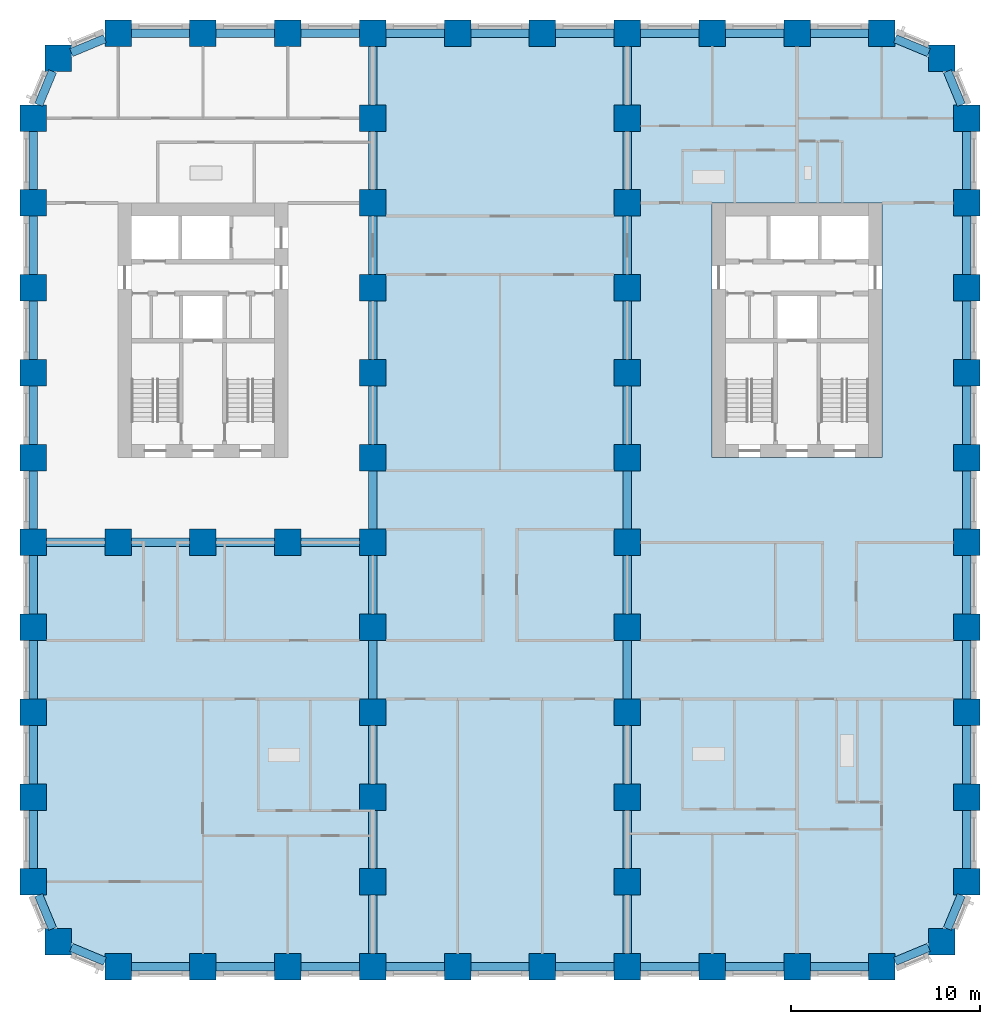
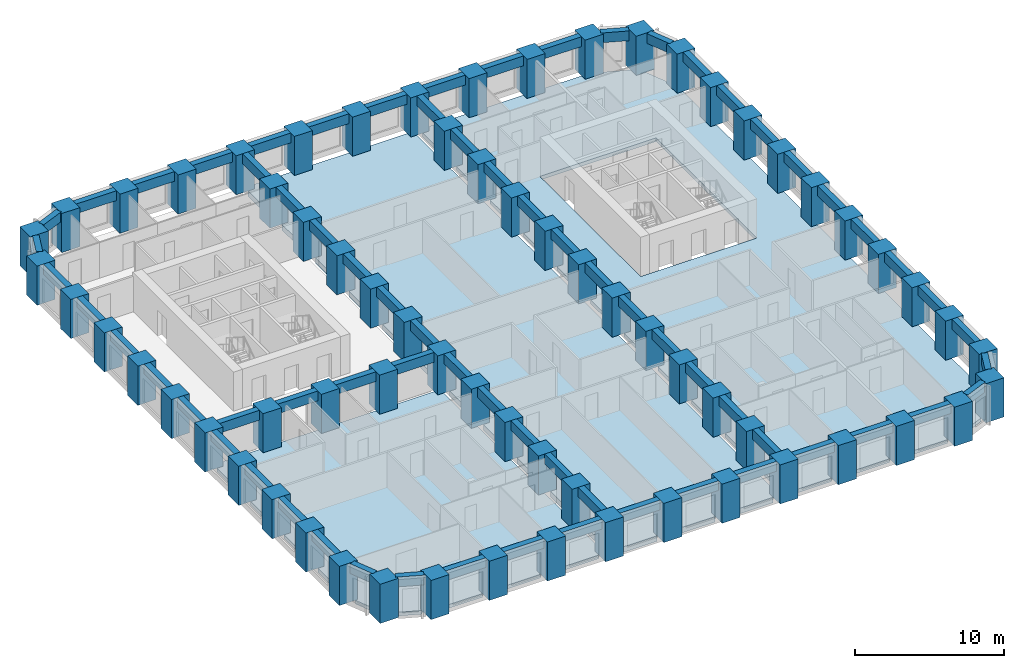
# One storey, part 1 of 12: 70 beams, 67 columns, 3 slabs.
"""IFC4 building model written with IfcOpenShell, lengths in metres."""

import ifcopenshell
import ifcopenshell.guid

model = None  # the IFC model being written
_history = None  # IfcOwnerHistory: only IFC2X3 demands one
_inside = {}  # id of a spatial element -> (the spatial element, [elements in it])
_under = {}  # id of a project, library or spatial element -> (it, [spatial elements below it])
_declared = {}  # id of a project -> (the project, [libraries it declares])
_typed = {}  # id of a type object -> (the type object, [elements of that type])
_made_of = {}  # id of a material, layer set ... -> (it, [elements and type objects made of it])


def new_model(schema):
    """Start an empty IFC model of exactly this schema.

    Asked for "IFC4X3", IfcOpenShell would pick the latest addendum, in which some entities
    have other attributes; the version numbers below select the first issue.
    IFC2X3 requires an IfcOwnerHistory on every rooted entity: one is made here for all.
    """
    global model, _history
    if schema == "IFC4X3":
        model = ifcopenshell.file(schema_version=(4, 3, 0, 0))
    else:
        model = ifcopenshell.file(schema=schema)
    _inside.clear()
    _under.clear()
    _declared.clear()
    _typed.clear()
    _made_of.clear()
    _history = None
    if model.schema == "IFC2X3":
        org = make("IfcOrganization", Name="unknown")
        user = make(
            "IfcPersonAndOrganization",
            ThePerson=make("IfcPerson", FamilyName="unknown"),
            TheOrganization=org,
        )
        app = make(
            "IfcApplication",
            ApplicationDeveloper=org,
            Version="unknown",
            ApplicationFullName="unknown",
            ApplicationIdentifier="unknown",
        )
        _history = make(
            "IfcOwnerHistory",
            OwningUser=user,
            OwningApplication=app,
            ChangeAction="ADDED",
            CreationDate=0,
        )
    return model


def make(cls, **values):
    """One entity of the class cls with the attributes given. An attribute that is None is left unset."""
    return model.create_entity(
        cls, **{name: value for name, value in values.items() if value is not None}
    )


def rooted(cls, **values):
    """An entity with a GlobalId (a new one), such as an element, a storey or a relation."""
    return make(cls, GlobalId=ifcopenshell.guid.new(), OwnerHistory=_history, **values)


def si_unit(unit_type, name, prefix=None):
    """IfcSIUnit, for example si_unit("LENGTHUNIT", "METRE", prefix="MILLI")."""
    return make("IfcSIUnit", UnitType=unit_type, Prefix=prefix, Name=name)


def assignment(units):
    """IfcUnitAssignment: the units of a project."""
    return None if units is None else make("IfcUnitAssignment", Units=units)


def point(xyz):
    """IfcCartesianPoint."""
    return None if xyz is None else make("IfcCartesianPoint", Coordinates=xyz)


def direction(xyz):
    """IfcDirection."""
    return None if xyz is None else make("IfcDirection", DirectionRatios=xyz)


def frame(location, z_axis=None, x_axis=None):
    """IfcAxis2Placement3D, a coordinate frame: its origin and axes. An axis left out is left unset."""
    return make(
        "IfcAxis2Placement3D",
        Location=point(location),
        Axis=direction(z_axis),
        RefDirection=direction(x_axis),
    )


def frame_2d(location, x_axis=None):
    """IfcAxis2Placement2D, a coordinate frame in the plane: its origin and x axis."""
    return make(
        "IfcAxis2Placement2D", Location=point(location), RefDirection=direction(x_axis)
    )


def origin():
    """The frame at (0, 0, 0) with its axes left unset."""
    return frame((0.0, 0.0, 0.0))


def origin_2d():
    """The frame at (0, 0) in the plane with its x axis left unset."""
    return frame_2d((0.0, 0.0))


def place(relative_to, where):
    """IfcLocalPlacement: puts the frame where relative to a parent placement (None: the world)."""
    return make(
        "IfcLocalPlacement", PlacementRelTo=relative_to, RelativePlacement=where
    )


def context(
    kind, dimensions, precision=None, world=None, true_north=None, identifier=None
):
    """IfcGeometricRepresentationContext, for example the 3D "Model" context."""
    return make(
        "IfcGeometricRepresentationContext",
        ContextIdentifier=identifier,
        ContextType=kind,
        CoordinateSpaceDimension=dimensions,
        Precision=precision,
        WorldCoordinateSystem=world,
        TrueNorth=true_north,
    )


def subcontext(parent, identifier, kind, view, scale=None):
    """IfcGeometricRepresentationSubContext, for example "Body" below "Model"."""
    return make(
        "IfcGeometricRepresentationSubContext",
        ContextIdentifier=identifier,
        ContextType=kind,
        ParentContext=parent,
        TargetScale=scale,
        TargetView=view,
    )


def project(units=None, contexts=None):
    """IfcProject with its units and contexts."""
    return rooted(
        "IfcProject",
        Name="project",
        RepresentationContexts=contexts,
        UnitsInContext=assignment(units),
    )


def spatial(cls, under=None, at=None, **own):
    """A site, building, storey or space (cls), placed at a placement, below another one or the project."""
    s = rooted(cls, ObjectPlacement=at, **own)
    if under is not None:
        _under.setdefault(under.id(), (under, []))[1].append(s)
    return s


def polyline(points):
    """IfcPolyline through the points."""
    return make("IfcPolyline", Points=[point(p) for p in points])


def profile(cls, at=None, kind="AREA", **sizes):
    """A parametric profile (cls). Its sizes go by their IFC names, for example OverallWidth=200.0."""
    return make(cls, ProfileType=kind, Position=at, **sizes)


def rectangle(**sizes):
    """IfcRectangleProfileDef."""
    return profile("IfcRectangleProfileDef", **sizes)


def outline(outer, holes=None, kind="AREA"):
    """IfcArbitraryClosedProfileDef: a profile drawn as a closed curve; with holes, ...WithVoids."""
    if holes is None:
        return make("IfcArbitraryClosedProfileDef", ProfileType=kind, OuterCurve=outer)
    return make(
        "IfcArbitraryProfileDefWithVoids",
        ProfileType=kind,
        OuterCurve=outer,
        InnerCurves=holes,
    )


def extrude(swept, where, along, depth):
    """IfcExtrudedAreaSolid: the profile swept, set in the frame where, extruded along a direction by depth."""
    return make(
        "IfcExtrudedAreaSolid",
        SweptArea=swept,
        Position=where,
        ExtrudedDirection=direction(along),
        Depth=depth,
    )


def shape(context_of_items, identifier, shape_type, items):
    """IfcShapeRepresentation: the items that make up one representation, for example the "Body"."""
    return make(
        "IfcShapeRepresentation",
        ContextOfItems=context_of_items,
        RepresentationIdentifier=identifier,
        RepresentationType=shape_type,
        Items=items,
    )


def material(Name=None, Category=None):
    """IfcMaterial."""
    return make("IfcMaterial", Name=Name, Category=Category)


def layer(
    of_material, thickness, ventilated=None, Name=None, Category=None, Priority=None
):
    """IfcMaterialLayer: one layer of a wall or slab, of a material (None: an air gap)."""
    return make(
        "IfcMaterialLayer",
        Material=of_material,
        LayerThickness=thickness,
        IsVentilated=ventilated,
        Name=Name,
        Category=Category,
        Priority=Priority,
    )


def layer_set(layers, Name=None):
    """IfcMaterialLayerSet."""
    return make("IfcMaterialLayerSet", MaterialLayers=layers, LayerSetName=Name)


def material_profile(
    of_material, cross_section, Name=None, Category=None, Priority=None
):
    """IfcMaterialProfile: a cross section and its material."""
    return make(
        "IfcMaterialProfile",
        Name=Name,
        Material=of_material,
        Profile=cross_section,
        Priority=Priority,
        Category=Category,
    )


def profile_set(profiles, Name=None, composite=None):
    """IfcMaterialProfileSet."""
    return make(
        "IfcMaterialProfileSet",
        Name=Name,
        MaterialProfiles=profiles,
        CompositeProfile=composite,
    )


def made_of(thing, what):
    """Note that an element or type object is made of a material, layer set ...; save() writes the relation."""
    if what is not None:
        _made_of.setdefault(what.id(), (what, []))[1].append(thing)
    return thing


def type_object(cls, material=None, **own):
    """A type object (cls), such as IfcWallType, which elements share."""
    return made_of(rooted(cls, **own), material)


def element(
    cls,
    number,
    at=None,
    inside=None,
    cuts=None,
    type_object=None,
    material=None,
    context=None,
    identifier="Body",
    shape_type=None,
    held_by="IfcProductDefinitionShape",
    body=None,
    shapes=None,
    **own,
):
    """One element of the class cls, such as IfcWall. Its Tag is "e" and its number.

    at: its placement. inside: the storey or other place that contains it. cuts: it is an
    opening in that element (IfcRelVoidsElement). A single representation is given by context,
    identifier, shape_type and body (its items); several are given by shapes. held_by: the class
    of the entity that holds the representations. save() writes the other relations.
    """
    e = rooted(cls, Tag="e%d" % number, ObjectPlacement=at, **own)
    if body is not None:
        shapes = [shape(context, identifier, shape_type, body)]
    if shapes is not None:
        e.Representation = make(held_by, Representations=shapes)
    if inside is not None:
        _inside.setdefault(inside.id(), (inside, []))[1].append(e)
    if cuts is not None:
        rooted(
            "IfcRelVoidsElement", RelatingBuildingElement=cuts, RelatedOpeningElement=e
        )
    if type_object is not None:
        _typed.setdefault(type_object.id(), (type_object, []))[1].append(e)
    return made_of(e, material)


def aggregate(whole, parts):
    """IfcRelAggregates: a whole, such as a stair, and the parts it consists of."""
    return rooted("IfcRelAggregates", RelatingObject=whole, RelatedObjects=parts)


def save(model, path):
    """Write the relations noted so far, then the file.

    IfcRelAggregates (storeys below a building ...), IfcRelContainedInSpatialStructure (elements
    in a storey), IfcRelDefinesByType, IfcRelAssociatesMaterial and IfcRelDeclares: one each for
    every whole, place, type object, material and project.
    """
    for whole, parts in _under.values():
        aggregate(whole, parts)
    for where, things in _inside.values():
        rooted(
            "IfcRelContainedInSpatialStructure",
            RelatedElements=things,
            RelatingStructure=where,
        )
    for kind, things in _typed.values():
        rooted("IfcRelDefinesByType", RelatedObjects=things, RelatingType=kind)
    for what, things in _made_of.values():
        rooted("IfcRelAssociatesMaterial", RelatedObjects=things, RelatingMaterial=what)
    for by, libraries in _declared.values():
        rooted("IfcRelDeclares", RelatingContext=by, RelatedDefinitions=libraries)
    model.write(path)


model = new_model("IFC4")

# Units and contexts
model_context = context("Model", 3, precision=1e-05, world=origin(), true_north=direction((0.0, 1.0)))
body_context = subcontext(model_context, "Body", "Model", "MODEL_VIEW")
ifc_project = project(units=[si_unit("LENGTHUNIT", "METRE"), si_unit("AREAUNIT", "SQUARE_METRE"), si_unit("VOLUMEUNIT", "CUBIC_METRE"), si_unit("PLANEANGLEUNIT", "RADIAN"), si_unit("MASSUNIT", "GRAM", prefix="KILO")], contexts=[model_context])

# Site, building, storey
site_placement = place(None, origin())
site = spatial("IfcSite", under=ifc_project, at=site_placement, CompositionType="ELEMENT")
building_placement = place(site_placement, origin())
building = spatial("IfcBuilding", under=site, at=building_placement, Name="Girih Gate Residences", CompositionType="ELEMENT")
storey_placement = place(building_placement, frame((0.0, 0.0, 36.800048828125)))
storey = spatial("IfcBuildingStorey", under=building, at=storey_placement, Name="L08", CompositionType="ELEMENT", Elevation=36.800048828125)

# Columns
ifc_material_1 = material(Name="Concrete C80/95", Category="concrete")
ifc_material_profile_1 = material_profile(ifc_material_1, rectangle(XDim=1.39990234375, YDim=1.39990234375, at=origin_2d()))
ifc_profile_set_1 = profile_set([ifc_material_profile_1], Name="Concrete C80/95")
column_type = type_object("IfcColumnType", Name="Pier RC 1400x1400 Concrete C80/95", PredefinedType="COLUMN", material=ifc_profile_set_1)
for number, where, z_axis, x_axis, name in (
    (1, (4.5, 0.0, 0.0), (0.0, 0.0, 1.0), (1.0, 0.0, 0.0), "Pier P2A L08"),
    (2, (9.0, 0.0, 0.0), (0.0, 0.0, 1.0), (1.0, 0.0, 0.0), "Pier P3A L08"),
    (3, (13.5, 0.0, 0.0), (0.0, 0.0, 1.0), (1.0, 0.0, 0.0), "Pier P4A L08"),
    (4, (18.0, 0.0, 0.0), (0.0, 0.0, 1.0), (1.0, 0.0, 0.0), "Pier P5A L08"),
    (5, (22.5, 0.0, 0.0), (0.0, 0.0, 1.0), (1.0, 0.0, 0.0), "Pier P6A L08"),
    (6, (27.0, 0.0, 0.0), (0.0, 0.0, 1.0), (1.0, 0.0, 0.0), "Pier P7A L08"),
    (7, (31.5, 0.0, 0.0), (0.0, 0.0, 1.0), (1.0, 0.0, 0.0), "Pier P8A L08"),
    (8, (36.0, 0.0, 0.0), (0.0, 0.0, 1.0), (1.0, 0.0, 0.0), "Pier P9A L08"),
    (9, (40.5, 0.0, 0.0), (0.0, 0.0, 1.0), (1.0, 0.0, 0.0), "Pier P10A L08"),
    (10, (45.0, 0.0, 0.0), (0.0, 0.0, 1.0), (1.0, 0.0, 0.0), "Pier P11A L08"),
    (11, (1.318115234375, 1.318115234375, 0.0), (0.0, 0.0, 1.0), (1.0, 0.0, 0.0), "Pier P1ANE L08"),
    (12, (48.181884765625, 1.318115234375, 0.0), (0.0, 0.0, 1.0), (1.0, 0.0, 0.0), "Pier P12ANW L08"),
    (13, (0.0, 4.5, 0.0), (0.0, 0.0, 1.0), (1.0, 0.0, 0.0), "Pier P1B L08"),
    (14, (18.0, 4.5, 0.0), (0.0, 0.0, 1.0), (1.0, 0.0, 0.0), "Pier P5B L08"),
    (15, (31.5, 4.5, 0.0), (0.0, 0.0, 1.0), (1.0, 0.0, 0.0), "Pier P8B L08"),
    (16, (49.5, 4.5, 0.0), (0.0, 0.0, 1.0), (1.0, 0.0, 0.0), "Pier P12B L08"),
    (17, (0.0, 9.0, 0.0), (0.0, 0.0, 1.0), (1.0, 0.0, 0.0), "Pier P1C L08"),
    (18, (18.0, 9.0, 0.0), (0.0, 0.0, 1.0), (1.0, 0.0, 0.0), "Pier P5C L08"),
    (19, (31.5, 9.0, 0.0), (0.0, 0.0, 1.0), (1.0, 0.0, 0.0), "Pier P8C L08"),
    (20, (49.5, 9.0, 0.0), (0.0, 0.0, 1.0), (1.0, 0.0, 0.0), "Pier P12C L08"),
    (21, (0.0, 13.5, 0.0), (0.0, 0.0, 1.0), (1.0, 0.0, 0.0), "Pier P1D L08"),
    (22, (18.0, 13.5, 0.0), (0.0, 0.0, 1.0), (1.0, 0.0, 0.0), "Pier P5D L08"),
    (23, (31.5, 13.5, 0.0), (0.0, 0.0, 1.0), (1.0, 0.0, 0.0), "Pier P8D L08"),
    (24, (49.5, 13.5, 0.0), (0.0, 0.0, 1.0), (1.0, 0.0, 0.0), "Pier P12D L08"),
    (25, (0.0, 18.0, 0.0), (0.0, 0.0, 1.0), (1.0, 0.0, 0.0), "Pier P1E L08"),
    (26, (18.0, 18.0, 0.0), (0.0, 0.0, 1.0), (1.0, 0.0, 0.0), "Pier P5E L08"),
    (27, (31.5, 18.0, 0.0), (0.0, 0.0, 1.0), (1.0, 0.0, 0.0), "Pier P8E L08"),
    (28, (49.5, 18.0, 0.0), (0.0, 0.0, 1.0), (1.0, 0.0, 0.0), "Pier P12E L08"),
    (29, (0.0, 22.5, 0.0), (0.0, 0.0, 1.0), (1.0, 0.0, 0.0), "Pier P1F L08"),
    (30, (4.5, 22.5, 0.0), (0.0, 0.0, 1.0), (1.0, 0.0, 0.0), "Pier P2F L08"),
    (31, (9.0, 22.5, 0.0), (0.0, 0.0, 1.0), (1.0, 0.0, 0.0), "Pier P3F L08"),
    (32, (13.5, 22.5, 0.0), (0.0, 0.0, 1.0), (1.0, 0.0, 0.0), "Pier P4F L08"),
    (33, (18.0, 22.5, 0.0), (0.0, 0.0, 1.0), (1.0, 0.0, 0.0), "Pier P5F L08"),
    (34, (31.5, 22.5, 0.0), (0.0, 0.0, 1.0), (1.0, 0.0, 0.0), "Pier P8F L08"),
    (35, (49.5, 22.5, 0.0), (0.0, 0.0, 1.0), (1.0, 0.0, 0.0), "Pier P12F L08"),
    (36, (0.0, 27.0, 0.0), (0.0, 0.0, 1.0), (1.0, 0.0, 0.0), "Pier P1G L08"),
    (37, (18.0, 27.0, 0.0), (0.0, 0.0, 1.0), (1.0, 0.0, 0.0), "Pier P5G L08"),
    (38, (31.5, 27.0, 0.0), (0.0, 0.0, 1.0), (1.0, 0.0, 0.0), "Pier P8G L08"),
    (39, (49.5, 27.0, 0.0), (0.0, 0.0, 1.0), (1.0, 0.0, 0.0), "Pier P12G L08"),
    (40, (0.0, 31.5, 0.0), (0.0, 0.0, 1.0), (1.0, 0.0, 0.0), "Pier P1H L08"),
    (41, (18.0, 31.5, 0.0), (0.0, 0.0, 1.0), (1.0, 0.0, 0.0), "Pier P5H L08"),
    (42, (31.5, 31.5, 0.0), (0.0, 0.0, 1.0), (1.0, 0.0, 0.0), "Pier P8H L08"),
    (43, (49.5, 31.5, 0.0), (0.0, 0.0, 1.0), (1.0, 0.0, 0.0), "Pier P12H L08"),
    (44, (0.0, 36.0, 0.0), (0.0, 0.0, 1.0), (1.0, 0.0, 0.0), "Pier P1I L08"),
    (45, (18.0, 36.0, 0.0), (0.0, 0.0, 1.0), (1.0, 0.0, 0.0), "Pier P5I L08"),
    (46, (31.5, 36.0, 0.0), (0.0, 0.0, 1.0), (1.0, 0.0, 0.0), "Pier P8I L08"),
    (47, (49.5, 36.0, 0.0), (0.0, 0.0, 1.0), (1.0, 0.0, 0.0), "Pier P12I L08"),
    (48, (0.0, 40.5, 0.0), (0.0, 0.0, 1.0), (1.0, 0.0, 0.0), "Pier P1J L08"),
    (49, (18.0, 40.5, 0.0), (0.0, 0.0, 1.0), (1.0, 0.0, 0.0), "Pier P5J L08"),
    (50, (31.5, 40.5, 0.0), (0.0, 0.0, 1.0), (1.0, 0.0, 0.0), "Pier P8J L08"),
    (51, (49.5, 40.5, 0.0), (0.0, 0.0, 1.0), (1.0, 0.0, 0.0), "Pier P12J L08"),
    (52, (0.0, 45.0, 0.0), (0.0, 0.0, 1.0), (1.0, 0.0, 0.0), "Pier P1K L08"),
    (53, (18.0, 45.0, 0.0), (0.0, 0.0, 1.0), (1.0, 0.0, 0.0), "Pier P5K L08"),
    (54, (31.5, 45.0, 0.0), (0.0, 0.0, 1.0), (1.0, 0.0, 0.0), "Pier P8K L08"),
    (55, (49.5, 45.0, 0.0), (0.0, 0.0, 1.0), (1.0, 0.0, 0.0), "Pier P12K L08"),
    (56, (1.318115234375, 48.181884765625, 0.0), (0.0, 0.0, 1.0), (1.0, 0.0, 0.0), "Pier P1LSE L08"),
    (57, (48.181884765625, 48.181884765625, 0.0), (0.0, 0.0, 1.0), (1.0, 0.0, 0.0), "Pier P12LSW L08"),
    (58, (4.5, 49.5, 0.0), (0.0, 0.0, 1.0), (1.0, 0.0, 0.0), "Pier P2L L08"),
    (59, (9.0, 49.5, 0.0), (0.0, 0.0, 1.0), (1.0, 0.0, 0.0), "Pier P3L L08"),
    (60, (13.5, 49.5, 0.0), (0.0, 0.0, 1.0), (1.0, 0.0, 0.0), "Pier P4L L08"),
    (61, (18.0, 49.5, 0.0), (0.0, 0.0, 1.0), (1.0, 0.0, 0.0), "Pier P5L L08"),
    (62, (22.5, 49.5, 0.0), (0.0, 0.0, 1.0), (1.0, 0.0, 0.0), "Pier P6L L08"),
    (63, (27.0, 49.5, 0.0), (0.0, 0.0, 1.0), (1.0, 0.0, 0.0), "Pier P7L L08"),
    (64, (31.5, 49.5, 0.0), (0.0, 0.0, 1.0), (1.0, 0.0, 0.0), "Pier P8L L08"),
    (65, (36.0, 49.5, 0.0), (0.0, 0.0, 1.0), (1.0, 0.0, 0.0), "Pier P9L L08"),
    (66, (40.5, 49.5, 0.0), (0.0, 0.0, 1.0), (1.0, 0.0, 0.0), "Pier P10L L08"),
    (67, (45.0, 49.5, 0.0), (0.0, 0.0, 1.0), (1.0, 0.0, 0.0), "Pier P11L L08"),
):
    element("IfcColumn", number, at=place(storey_placement, frame(where, z_axis=z_axis, x_axis=x_axis)), inside=storey, type_object=column_type, Name=name, PredefinedType="COLUMN", context=body_context, shape_type="SweptSolid", body=[
        extrude(rectangle(XDim=1.39990234375, YDim=1.39990234375, at=origin_2d()), origin(), (0.0, 0.0, 1.0), 3.199951171875),
    ])

# Beams
ifc_material_2 = material(Name="Concrete C60/75", Category="concrete")
ifc_material_profile_2 = material_profile(ifc_material_2, rectangle(XDim=0.449951171875, YDim=0.800048828125, at=origin_2d()))
ifc_profile_set_2 = profile_set([ifc_material_profile_2], Name="Concrete C60/75")
beam_type = type_object("IfcBeamType", Name="Spandrel girder RC 450x800 Concrete C60/75", PredefinedType="BEAM", material=ifc_profile_set_2)
for number, where, z_axis, x_axis, name in (
    (68, (0.2900390625, 3.800048828125, 2.800048828125), (0.382646180293, -0.923894961945, 0.0), (0.923894961945, 0.382646180293, 0.0), "Spandrel girder SP-P1B-P1ANE L08"),
    (69, (2.01806640625, 1.028076171875, 2.800048828125), (0.923894961945, -0.382646180293, 0.0), (0.382646180293, 0.923894961945, 0.0), "Spandrel girder SP-P1ANE-P2A L08"),
):
    element("IfcBeam", number, at=place(storey_placement, frame(where, z_axis=z_axis, x_axis=x_axis)), inside=storey, type_object=beam_type, Name=name, PredefinedType="BEAM", context=body_context, shape_type="SweptSolid", body=[
        extrude(rectangle(XDim=0.449951171875, YDim=0.800048828125, at=origin_2d()), origin(), (0.0, 0.0, 1.0), 1.9287109375),
    ])
for number, where, z_axis, x_axis, name in (
    (70, (5.199951171875, 0.0, 2.800048828125), (1.0, 0.0, 0.0), (0.0, 1.0, 0.0), "Spandrel girder SP-P2A-P3A L08"),
    (71, (9.699951171875, 0.0, 2.800048828125), (1.0, 0.0, 0.0), (0.0, 1.0, 0.0), "Spandrel girder SP-P3A-P4A L08"),
    (72, (14.199951171875, 0.0, 2.800048828125), (1.0, 0.0, 0.0), (0.0, 1.0, 0.0), "Spandrel girder SP-P4A-P5A L08"),
    (73, (18.699951171875, 0.0, 2.800048828125), (1.0, 0.0, 0.0), (0.0, 1.0, 0.0), "Spandrel girder SP-P5A-P6A L08"),
    (74, (23.199951171875, 0.0, 2.800048828125), (1.0, 0.0, 0.0), (0.0, 1.0, 0.0), "Spandrel girder SP-P6A-P7A L08"),
    (75, (27.699951171875, 0.0, 2.800048828125), (1.0, 0.0, 0.0), (0.0, 1.0, 0.0), "Spandrel girder SP-P7A-P8A L08"),
    (76, (32.199951171875, 0.0, 2.800048828125), (1.0, 0.0, 0.0), (0.0, 1.0, 0.0), "Spandrel girder SP-P8A-P9A L08"),
    (77, (36.699951171875, 0.0, 2.800048828125), (1.0, 0.0, 0.0), (0.0, 1.0, 0.0), "Spandrel girder SP-P9A-P10A L08"),
    (78, (41.199951171875, 0.0, 2.800048828125), (1.0, 0.0, 0.0), (0.0, 1.0, 0.0), "Spandrel girder SP-P10A-P11A L08"),
):
    element("IfcBeam", number, at=place(storey_placement, frame(where, z_axis=z_axis, x_axis=x_axis)), inside=storey, type_object=beam_type, Name=name, PredefinedType="BEAM", context=body_context, shape_type="SweptSolid", body=[
        extrude(rectangle(XDim=0.449951171875, YDim=0.800048828125, at=origin_2d()), origin(), (0.0, 0.0, 1.0), 3.10009765625),
    ])
for number, where, z_axis, x_axis, name in (
    (79, (45.699951171875, 0.2900390625, 2.800048828125), (0.923894961945, 0.382646180293, 0.0), (-0.382646180293, 0.923894961945, 0.0), "Spandrel girder SP-P11A-P12ANW L08"),
    (80, (48.471923828125, 2.01806640625, 2.800048828125), (0.382646180293, 0.923894961945, 0.0), (-0.923894961945, 0.382646180293, 0.0), "Spandrel girder SP-P12ANW-P12B L08"),
):
    element("IfcBeam", number, at=place(storey_placement, frame(where, z_axis=z_axis, x_axis=x_axis)), inside=storey, type_object=beam_type, Name=name, PredefinedType="BEAM", context=body_context, shape_type="SweptSolid", body=[
        extrude(rectangle(XDim=0.449951171875, YDim=0.800048828125, at=origin_2d()), origin(), (0.0, 0.0, 1.0), 1.9287109375),
    ])
for number, where, z_axis, x_axis, name in (
    (81, (49.5, 5.199951171875, 2.800048828125), (0.0, 1.0, 0.0), (-1.0, 0.0, 0.0), "Spandrel girder SP-P12B-P12C L08"),
    (82, (49.5, 9.699951171875, 2.800048828125), (0.0, 1.0, 0.0), (-1.0, 0.0, 0.0), "Spandrel girder SP-P12C-P12D L08"),
    (83, (49.5, 14.199951171875, 2.800048828125), (0.0, 1.0, 0.0), (-1.0, 0.0, 0.0), "Spandrel girder SP-P12D-P12E L08"),
    (84, (49.5, 18.699951171875, 2.800048828125), (0.0, 1.0, 0.0), (-1.0, 0.0, 0.0), "Spandrel girder SP-P12E-P12F L08"),
    (85, (49.5, 23.199951171875, 2.800048828125), (0.0, 1.0, 0.0), (-1.0, 0.0, 0.0), "Spandrel girder SP-P12F-P12G L08"),
    (86, (49.5, 27.699951171875, 2.800048828125), (0.0, 1.0, 0.0), (-1.0, 0.0, 0.0), "Spandrel girder SP-P12G-P12H L08"),
    (87, (49.5, 32.199951171875, 2.800048828125), (0.0, 1.0, 0.0), (-1.0, 0.0, 0.0), "Spandrel girder SP-P12H-P12I L08"),
    (88, (49.5, 36.699951171875, 2.800048828125), (0.0, 1.0, 0.0), (-1.0, 0.0, 0.0), "Spandrel girder SP-P12I-P12J L08"),
    (89, (49.5, 41.199951171875, 2.800048828125), (0.0, 1.0, 0.0), (-1.0, 0.0, 0.0), "Spandrel girder SP-P12J-P12K L08"),
):
    element("IfcBeam", number, at=place(storey_placement, frame(where, z_axis=z_axis, x_axis=x_axis)), inside=storey, type_object=beam_type, Name=name, PredefinedType="BEAM", context=body_context, shape_type="SweptSolid", body=[
        extrude(rectangle(XDim=0.449951171875, YDim=0.800048828125, at=origin_2d()), origin(), (0.0, 0.0, 1.0), 3.10009765625),
    ])
for number, where, z_axis, x_axis, name in (
    (90, (49.2099609375, 45.699951171875, 2.800048828125), (-0.382646180293, 0.923894961945, 0.0), (-0.923894961945, -0.382646180293, 0.0), "Spandrel girder SP-P12K-P12LSW L08"),
    (91, (47.48193359375, 48.471923828125, 2.800048828125), (-0.923894961945, 0.382646180293, 0.0), (-0.382646180293, -0.923894961945, 0.0), "Spandrel girder SP-P12LSW-P11L L08"),
):
    element("IfcBeam", number, at=place(storey_placement, frame(where, z_axis=z_axis, x_axis=x_axis)), inside=storey, type_object=beam_type, Name=name, PredefinedType="BEAM", context=body_context, shape_type="SweptSolid", body=[
        extrude(rectangle(XDim=0.449951171875, YDim=0.800048828125, at=origin_2d()), origin(), (0.0, 0.0, 1.0), 1.9287109375),
    ])
for number, where, z_axis, x_axis, name in (
    (92, (44.300048828125, 49.5, 2.800048828125), (-1.0, 0.0, 0.0), (0.0, -1.0, 0.0), "Spandrel girder SP-P11L-P10L L08"),
    (93, (39.800048828125, 49.5, 2.800048828125), (-1.0, 0.0, 0.0), (0.0, -1.0, 0.0), "Spandrel girder SP-P10L-P9L L08"),
    (94, (35.300048828125, 49.5, 2.800048828125), (-1.0, 0.0, 0.0), (0.0, -1.0, 0.0), "Spandrel girder SP-P9L-P8L L08"),
    (95, (30.800048828125, 49.5, 2.800048828125), (-1.0, 0.0, 0.0), (0.0, -1.0, 0.0), "Spandrel girder SP-P8L-P7L L08"),
    (96, (26.300048828125, 49.5, 2.800048828125), (-1.0, 0.0, 0.0), (0.0, -1.0, 0.0), "Spandrel girder SP-P7L-P6L L08"),
    (97, (21.800048828125, 49.5, 2.800048828125), (-1.0, 0.0, 0.0), (0.0, -1.0, 0.0), "Spandrel girder SP-P6L-P5L L08"),
    (98, (17.300048828125, 49.5, 2.800048828125), (-1.0, 0.0, 0.0), (0.0, -1.0, 0.0), "Spandrel girder SP-P5L-P4L L08"),
    (99, (12.800048828125, 49.5, 2.800048828125), (-1.0, 0.0, 0.0), (0.0, -1.0, 0.0), "Spandrel girder SP-P4L-P3L L08"),
    (100, (8.300048828125, 49.5, 2.800048828125), (-1.0, 0.0, 0.0), (0.0, -1.0, 0.0), "Spandrel girder SP-P3L-P2L L08"),
):
    element("IfcBeam", number, at=place(storey_placement, frame(where, z_axis=z_axis, x_axis=x_axis)), inside=storey, type_object=beam_type, Name=name, PredefinedType="BEAM", context=body_context, shape_type="SweptSolid", body=[
        extrude(rectangle(XDim=0.449951171875, YDim=0.800048828125, at=origin_2d()), origin(), (0.0, 0.0, 1.0), 3.10009765625),
    ])
for number, where, z_axis, x_axis, name in (
    (101, (3.800048828125, 49.2099609375, 2.800048828125), (-0.923894961945, -0.382646180293, 0.0), (0.382646180293, -0.923894961945, 0.0), "Spandrel girder SP-P2L-P1LSE L08"),
    (102, (1.028076171875, 47.48193359375, 2.800048828125), (-0.382646180293, -0.923894961945, 0.0), (0.923894961945, -0.382646180293, 0.0), "Spandrel girder SP-P1LSE-P1K L08"),
):
    element("IfcBeam", number, at=place(storey_placement, frame(where, z_axis=z_axis, x_axis=x_axis)), inside=storey, type_object=beam_type, Name=name, PredefinedType="BEAM", context=body_context, shape_type="SweptSolid", body=[
        extrude(rectangle(XDim=0.449951171875, YDim=0.800048828125, at=origin_2d()), origin(), (0.0, 0.0, 1.0), 1.9287109375),
    ])
for number, where, z_axis, x_axis, name in (
    (103, (0.0, 44.300048828125, 2.800048828125), (0.0, -1.0, 0.0), (1.0, 0.0, 0.0), "Spandrel girder SP-P1K-P1J L08"),
    (104, (0.0, 39.800048828125, 2.800048828125), (0.0, -1.0, 0.0), (1.0, 0.0, 0.0), "Spandrel girder SP-P1J-P1I L08"),
    (105, (0.0, 35.300048828125, 2.800048828125), (0.0, -1.0, 0.0), (1.0, 0.0, 0.0), "Spandrel girder SP-P1I-P1H L08"),
    (106, (0.0, 30.800048828125, 2.800048828125), (0.0, -1.0, 0.0), (1.0, 0.0, 0.0), "Spandrel girder SP-P1H-P1G L08"),
    (107, (0.0, 26.300048828125, 2.800048828125), (0.0, -1.0, 0.0), (1.0, 0.0, 0.0), "Spandrel girder SP-P1G-P1F L08"),
    (108, (0.0, 21.800048828125, 2.800048828125), (0.0, -1.0, 0.0), (1.0, 0.0, 0.0), "Spandrel girder SP-P1F-P1E L08"),
    (109, (0.0, 17.300048828125, 2.800048828125), (0.0, -1.0, 0.0), (1.0, 0.0, 0.0), "Spandrel girder SP-P1E-P1D L08"),
    (110, (0.0, 12.800048828125, 2.800048828125), (0.0, -1.0, 0.0), (1.0, 0.0, 0.0), "Spandrel girder SP-P1D-P1C L08"),
    (111, (0.0, 8.300048828125, 2.800048828125), (0.0, -1.0, 0.0), (1.0, 0.0, 0.0), "Spandrel girder SP-P1C-P1B L08"),
    (112, (18.0, 0.699951171875, 2.800048828125), (0.0, 1.0, 0.0), (-1.0, 0.0, 0.0), "Spandrel girder SP-P5A-P5B L08"),
    (113, (18.0, 5.199951171875, 2.800048828125), (0.0, 1.0, 0.0), (-1.0, 0.0, 0.0), "Spandrel girder SP-P5B-P5C L08"),
    (114, (18.0, 9.699951171875, 2.800048828125), (0.0, 1.0, 0.0), (-1.0, 0.0, 0.0), "Spandrel girder SP-P5C-P5D L08"),
    (115, (18.0, 14.199951171875, 2.800048828125), (0.0, 1.0, 0.0), (-1.0, 0.0, 0.0), "Spandrel girder SP-P5D-P5E L08"),
    (116, (18.0, 18.699951171875, 2.800048828125), (0.0, 1.0, 0.0), (-1.0, 0.0, 0.0), "Spandrel girder SP-P5E-P5F L08"),
    (117, (18.0, 23.199951171875, 2.800048828125), (0.0, 1.0, 0.0), (-1.0, 0.0, 0.0), "Spandrel girder SP-P5F-P5G L08"),
    (118, (18.0, 27.699951171875, 2.800048828125), (0.0, 1.0, 0.0), (-1.0, 0.0, 0.0), "Spandrel girder SP-P5G-P5H L08"),
    (119, (18.0, 32.199951171875, 2.800048828125), (0.0, 1.0, 0.0), (-1.0, 0.0, 0.0), "Spandrel girder SP-P5H-P5I L08"),
    (120, (18.0, 36.699951171875, 2.800048828125), (0.0, 1.0, 0.0), (-1.0, 0.0, 0.0), "Spandrel girder SP-P5I-P5J L08"),
    (121, (18.0, 41.199951171875, 2.800048828125), (0.0, 1.0, 0.0), (-1.0, 0.0, 0.0), "Spandrel girder SP-P5J-P5K L08"),
    (122, (18.0, 45.699951171875, 2.800048828125), (0.0, 1.0, 0.0), (-1.0, 0.0, 0.0), "Spandrel girder SP-P5K-P5L L08"),
    (123, (31.5, 0.699951171875, 2.800048828125), (0.0, 1.0, 0.0), (-1.0, 0.0, 0.0), "Spandrel girder SP-P8A-P8B L08"),
    (124, (31.5, 5.199951171875, 2.800048828125), (0.0, 1.0, 0.0), (-1.0, 0.0, 0.0), "Spandrel girder SP-P8B-P8C L08"),
    (125, (31.5, 9.699951171875, 2.800048828125), (0.0, 1.0, 0.0), (-1.0, 0.0, 0.0), "Spandrel girder SP-P8C-P8D L08"),
    (126, (31.5, 14.199951171875, 2.800048828125), (0.0, 1.0, 0.0), (-1.0, 0.0, 0.0), "Spandrel girder SP-P8D-P8E L08"),
    (127, (31.5, 18.699951171875, 2.800048828125), (0.0, 1.0, 0.0), (-1.0, 0.0, 0.0), "Spandrel girder SP-P8E-P8F L08"),
    (128, (31.5, 23.199951171875, 2.800048828125), (0.0, 1.0, 0.0), (-1.0, 0.0, 0.0), "Spandrel girder SP-P8F-P8G L08"),
    (129, (31.5, 27.699951171875, 2.800048828125), (0.0, 1.0, 0.0), (-1.0, 0.0, 0.0), "Spandrel girder SP-P8G-P8H L08"),
    (130, (31.5, 32.199951171875, 2.800048828125), (0.0, 1.0, 0.0), (-1.0, 0.0, 0.0), "Spandrel girder SP-P8H-P8I L08"),
    (131, (31.5, 36.699951171875, 2.800048828125), (0.0, 1.0, 0.0), (-1.0, 0.0, 0.0), "Spandrel girder SP-P8I-P8J L08"),
    (132, (31.5, 41.199951171875, 2.800048828125), (0.0, 1.0, 0.0), (-1.0, 0.0, 0.0), "Spandrel girder SP-P8J-P8K L08"),
    (133, (31.5, 45.699951171875, 2.800048828125), (0.0, 1.0, 0.0), (-1.0, 0.0, 0.0), "Spandrel girder SP-P8K-P8L L08"),
    (134, (0.699951171875, 22.5, 2.800048828125), (1.0, 0.0, 0.0), (0.0, 1.0, 0.0), "Spandrel girder SP-P1F-P2F L08"),
    (135, (5.199951171875, 22.5, 2.800048828125), (1.0, 0.0, 0.0), (0.0, 1.0, 0.0), "Spandrel girder SP-P2F-P3F L08"),
    (136, (9.699951171875, 22.5, 2.800048828125), (1.0, 0.0, 0.0), (0.0, 1.0, 0.0), "Spandrel girder SP-P3F-P4F L08"),
    (137, (14.199951171875, 22.5, 2.800048828125), (1.0, 0.0, 0.0), (0.0, 1.0, 0.0), "Spandrel girder SP-P4F-P5F L08"),
):
    element("IfcBeam", number, at=place(storey_placement, frame(where, z_axis=z_axis, x_axis=x_axis)), inside=storey, type_object=beam_type, Name=name, PredefinedType="BEAM", context=body_context, shape_type="SweptSolid", body=[
        extrude(rectangle(XDim=0.449951171875, YDim=0.800048828125, at=origin_2d()), origin(), (0.0, 0.0, 1.0), 3.10009765625),
    ])

# Slabs
ifc_material_3 = material(Name="Concrete C40/50", Category="concrete")
ifc_layer_1 = layer(ifc_material_3, 0.300048828125)
ifc_layer_set_1 = layer_set([ifc_layer_1], Name="Floor slab PT 300 Concrete C40/50")
slab_type_1 = type_object("IfcSlabType", Name="Floor slab PT 300 Concrete C40/50", PredefinedType="FLOOR", material=ifc_layer_set_1)
slab_1_placement = place(storey_placement, frame((0.0, 0.0, -0.300048828125)))
element("IfcSlab", 138, at=slab_1_placement, inside=storey, type_object=slab_type_1, Name="Floor slab L08 0", PredefinedType="FLOOR", context=body_context, shape_type="SweptSolid", body=[
    extrude(outline(polyline([(0.22509765625, 8.300048828125), (0.22509765625, 5.199951171875), (0.699951171875, 5.199951171875), (0.699951171875, 3.800048828125), (0.533447265625, 3.800048828125), (1.271728515625, 2.01806640625), (2.01806640625, 2.01806640625), (2.01806640625, 1.271728515625), (3.800048828125, 0.533447265625), (3.800048828125, 0.699951171875), (5.199951171875, 0.699951171875), (5.199951171875, 0.22509765625), (8.300048828125, 0.22509765625), (8.300048828125, 0.699951171875), (9.699951171875, 0.699951171875), (9.699951171875, 0.22509765625), (12.800048828125, 0.22509765625), (12.800048828125, 0.699951171875), (14.199951171875, 0.699951171875), (14.199951171875, 0.22509765625), (17.300048828125, 0.22509765625), (17.300048828125, 0.699951171875), (17.77490234375, 0.699951171875), (17.77490234375, 3.800048828125), (17.300048828125, 3.800048828125), (17.300048828125, 5.199951171875), (17.77490234375, 5.199951171875), (17.77490234375, 8.300048828125), (17.300048828125, 8.300048828125), (17.300048828125, 9.699951171875), (17.77490234375, 9.699951171875), (17.77490234375, 12.800048828125), (17.300048828125, 12.800048828125), (17.300048828125, 14.199951171875), (17.77490234375, 14.199951171875), (17.77490234375, 17.300048828125), (17.300048828125, 17.300048828125), (17.300048828125, 18.699951171875), (17.77490234375, 18.699951171875), (17.77490234375, 21.800048828125), (17.300048828125, 21.800048828125), (17.300048828125, 22.27490234375), (14.199951171875, 22.27490234375), (14.199951171875, 21.800048828125), (12.800048828125, 21.800048828125), (12.800048828125, 22.27490234375), (9.699951171875, 22.27490234375), (9.699951171875, 21.800048828125), (8.300048828125, 21.800048828125), (8.300048828125, 22.27490234375), (5.199951171875, 22.27490234375), (5.199951171875, 21.800048828125), (3.800048828125, 21.800048828125), (3.800048828125, 22.27490234375), (0.699951171875, 22.27490234375), (0.699951171875, 21.800048828125), (0.22509765625, 21.800048828125), (0.22509765625, 18.699951171875), (0.699951171875, 18.699951171875), (0.699951171875, 17.300048828125), (0.22509765625, 17.300048828125), (0.22509765625, 14.199951171875), (0.699951171875, 14.199951171875), (0.699951171875, 12.800048828125), (0.22509765625, 12.800048828125), (0.22509765625, 9.699951171875), (0.699951171875, 9.699951171875), (0.699951171875, 8.300048828125), (0.22509765625, 8.300048828125)])), origin(), (0.0, 0.0, 1.0), 0.300048828125),
])
slab_2_placement = place(storey_placement, frame((0.0, 0.0, -0.300048828125)))
element("IfcSlab", 139, at=slab_2_placement, inside=storey, type_object=slab_type_1, Name="Floor slab L08 1", PredefinedType="FLOOR", context=body_context, shape_type="SweptSolid", body=[
    extrude(outline(polyline([(35.300048828125, 49.27490234375), (32.199951171875, 49.27490234375), (32.199951171875, 48.800048828125), (31.72509765625, 48.800048828125), (31.72509765625, 45.699951171875), (32.199951171875, 45.699951171875), (32.199951171875, 44.300048828125), (31.72509765625, 44.300048828125), (31.72509765625, 41.199951171875), (32.199951171875, 41.199951171875), (32.199951171875, 39.800048828125), (31.72509765625, 39.800048828125), (31.72509765625, 36.699951171875), (32.199951171875, 36.699951171875), (32.199951171875, 35.300048828125), (31.72509765625, 35.300048828125), (31.72509765625, 32.199951171875), (32.199951171875, 32.199951171875), (32.199951171875, 30.800048828125), (31.72509765625, 30.800048828125), (31.72509765625, 27.699951171875), (32.199951171875, 27.699951171875), (32.199951171875, 26.300048828125), (31.72509765625, 26.300048828125), (31.72509765625, 23.199951171875), (32.199951171875, 23.199951171875), (32.199951171875, 21.800048828125), (31.72509765625, 21.800048828125), (31.72509765625, 18.699951171875), (32.199951171875, 18.699951171875), (32.199951171875, 17.300048828125), (31.72509765625, 17.300048828125), (31.72509765625, 14.199951171875), (32.199951171875, 14.199951171875), (32.199951171875, 12.800048828125), (31.72509765625, 12.800048828125), (31.72509765625, 9.699951171875), (32.199951171875, 9.699951171875), (32.199951171875, 8.300048828125), (31.72509765625, 8.300048828125), (31.72509765625, 5.199951171875), (32.199951171875, 5.199951171875), (32.199951171875, 3.800048828125), (31.72509765625, 3.800048828125), (31.72509765625, 0.699951171875), (32.199951171875, 0.699951171875), (32.199951171875, 0.22509765625), (35.300048828125, 0.22509765625), (35.300048828125, 0.699951171875), (36.699951171875, 0.699951171875), (36.699951171875, 0.22509765625), (39.800048828125, 0.22509765625), (39.800048828125, 0.699951171875), (41.199951171875, 0.699951171875), (41.199951171875, 0.22509765625), (44.300048828125, 0.22509765625), (44.300048828125, 0.699951171875), (45.699951171875, 0.699951171875), (45.699951171875, 0.533447265625), (47.48193359375, 1.271728515625), (47.48193359375, 2.01806640625), (48.228271484375, 2.01806640625), (48.966552734375, 3.800048828125), (48.800048828125, 3.800048828125), (48.800048828125, 5.199951171875), (49.27490234375, 5.199951171875), (49.27490234375, 8.300048828125), (48.800048828125, 8.300048828125), (48.800048828125, 9.699951171875), (49.27490234375, 9.699951171875), (49.27490234375, 12.800048828125), (48.800048828125, 12.800048828125), (48.800048828125, 14.199951171875), (49.27490234375, 14.199951171875), (49.27490234375, 17.300048828125), (48.800048828125, 17.300048828125), (48.800048828125, 18.699951171875), (49.27490234375, 18.699951171875), (49.27490234375, 21.800048828125), (48.800048828125, 21.800048828125), (48.800048828125, 23.199951171875), (49.27490234375, 23.199951171875), (49.27490234375, 26.300048828125), (48.800048828125, 26.300048828125), (48.800048828125, 27.699951171875), (49.27490234375, 27.699951171875), (49.27490234375, 30.800048828125), (48.800048828125, 30.800048828125), (48.800048828125, 32.199951171875), (49.27490234375, 32.199951171875), (49.27490234375, 35.300048828125), (48.800048828125, 35.300048828125), (48.800048828125, 36.699951171875), (49.27490234375, 36.699951171875), (49.27490234375, 39.800048828125), (48.800048828125, 39.800048828125), (48.800048828125, 41.199951171875), (49.27490234375, 41.199951171875), (49.27490234375, 44.300048828125), (48.800048828125, 44.300048828125), (48.800048828125, 45.699951171875), (48.966552734375, 45.699951171875), (48.228271484375, 47.48193359375), (47.48193359375, 47.48193359375), (47.48193359375, 48.228271484375), (45.699951171875, 48.966552734375), (45.699951171875, 48.800048828125), (44.300048828125, 48.800048828125), (44.300048828125, 49.27490234375), (41.199951171875, 49.27490234375), (41.199951171875, 48.800048828125), (39.800048828125, 48.800048828125), (39.800048828125, 49.27490234375), (36.699951171875, 49.27490234375), (36.699951171875, 48.800048828125), (35.300048828125, 48.800048828125), (35.300048828125, 49.27490234375)]), holes=[polyline([(45.0, 40.5), (45.0, 27.0), (36.0, 27.0), (36.0, 40.5), (45.0, 40.5)])]), origin(), (0.0, 0.0, 1.0), 0.300048828125),
])
ifc_layer_2 = layer(ifc_material_3, 0.449951171875)
ifc_layer_set_2 = layer_set([ifc_layer_2], Name="Floor slab PT 450 Concrete C40/50")
slab_type_2 = type_object("IfcSlabType", Name="Floor slab PT 450 Concrete C40/50", PredefinedType="FLOOR", material=ifc_layer_set_2)
slab_3_placement = place(storey_placement, frame((0.0, 0.0, -0.449951171875)))
element("IfcSlab", 140, at=slab_3_placement, inside=storey, type_object=slab_type_2, Name="Floor slab L08 2", PredefinedType="FLOOR", context=body_context, shape_type="SweptSolid", body=[
    extrude(outline(polyline([(21.800048828125, 49.27490234375), (18.699951171875, 49.27490234375), (18.699951171875, 48.800048828125), (18.22509765625, 48.800048828125), (18.22509765625, 45.699951171875), (18.699951171875, 45.699951171875), (18.699951171875, 44.300048828125), (18.22509765625, 44.300048828125), (18.22509765625, 41.199951171875), (18.699951171875, 41.199951171875), (18.699951171875, 39.800048828125), (18.22509765625, 39.800048828125), (18.22509765625, 36.699951171875), (18.699951171875, 36.699951171875), (18.699951171875, 35.300048828125), (18.22509765625, 35.300048828125), (18.22509765625, 32.199951171875), (18.699951171875, 32.199951171875), (18.699951171875, 30.800048828125), (18.22509765625, 30.800048828125), (18.22509765625, 27.699951171875), (18.699951171875, 27.699951171875), (18.699951171875, 26.300048828125), (18.22509765625, 26.300048828125), (18.22509765625, 23.199951171875), (18.699951171875, 23.199951171875), (18.699951171875, 21.800048828125), (18.22509765625, 21.800048828125), (18.22509765625, 18.699951171875), (18.699951171875, 18.699951171875), (18.699951171875, 17.300048828125), (18.22509765625, 17.300048828125), (18.22509765625, 14.199951171875), (18.699951171875, 14.199951171875), (18.699951171875, 12.800048828125), (18.22509765625, 12.800048828125), (18.22509765625, 9.699951171875), (18.699951171875, 9.699951171875), (18.699951171875, 8.300048828125), (18.22509765625, 8.300048828125), (18.22509765625, 5.199951171875), (18.699951171875, 5.199951171875), (18.699951171875, 3.800048828125), (18.22509765625, 3.800048828125), (18.22509765625, 0.699951171875), (18.699951171875, 0.699951171875), (18.699951171875, 0.22509765625), (21.800048828125, 0.22509765625), (21.800048828125, 0.699951171875), (23.199951171875, 0.699951171875), (23.199951171875, 0.22509765625), (26.300048828125, 0.22509765625), (26.300048828125, 0.699951171875), (27.699951171875, 0.699951171875), (27.699951171875, 0.22509765625), (30.800048828125, 0.22509765625), (30.800048828125, 0.699951171875), (31.27490234375, 0.699951171875), (31.27490234375, 3.800048828125), (30.800048828125, 3.800048828125), (30.800048828125, 5.199951171875), (31.27490234375, 5.199951171875), (31.27490234375, 8.300048828125), (30.800048828125, 8.300048828125), (30.800048828125, 9.699951171875), (31.27490234375, 9.699951171875), (31.27490234375, 12.800048828125), (30.800048828125, 12.800048828125), (30.800048828125, 14.199951171875), (31.27490234375, 14.199951171875), (31.27490234375, 17.300048828125), (30.800048828125, 17.300048828125), (30.800048828125, 18.699951171875), (31.27490234375, 18.699951171875), (31.27490234375, 21.800048828125), (30.800048828125, 21.800048828125), (30.800048828125, 23.199951171875), (31.27490234375, 23.199951171875), (31.27490234375, 26.300048828125), (30.800048828125, 26.300048828125), (30.800048828125, 27.699951171875), (31.27490234375, 27.699951171875), (31.27490234375, 30.800048828125), (30.800048828125, 30.800048828125), (30.800048828125, 32.199951171875), (31.27490234375, 32.199951171875), (31.27490234375, 35.300048828125), (30.800048828125, 35.300048828125), (30.800048828125, 36.699951171875), (31.27490234375, 36.699951171875), (31.27490234375, 39.800048828125), (30.800048828125, 39.800048828125), (30.800048828125, 41.199951171875), (31.27490234375, 41.199951171875), (31.27490234375, 44.300048828125), (30.800048828125, 44.300048828125), (30.800048828125, 45.699951171875), (31.27490234375, 45.699951171875), (31.27490234375, 48.800048828125), (30.800048828125, 48.800048828125), (30.800048828125, 49.27490234375), (27.699951171875, 49.27490234375), (27.699951171875, 48.800048828125), (26.300048828125, 48.800048828125), (26.300048828125, 49.27490234375), (23.199951171875, 49.27490234375), (23.199951171875, 48.800048828125), (21.800048828125, 48.800048828125), (21.800048828125, 49.27490234375)])), origin(), (0.0, 0.0, 1.0), 0.449951171875),
])

save(model, "model.ifc")
